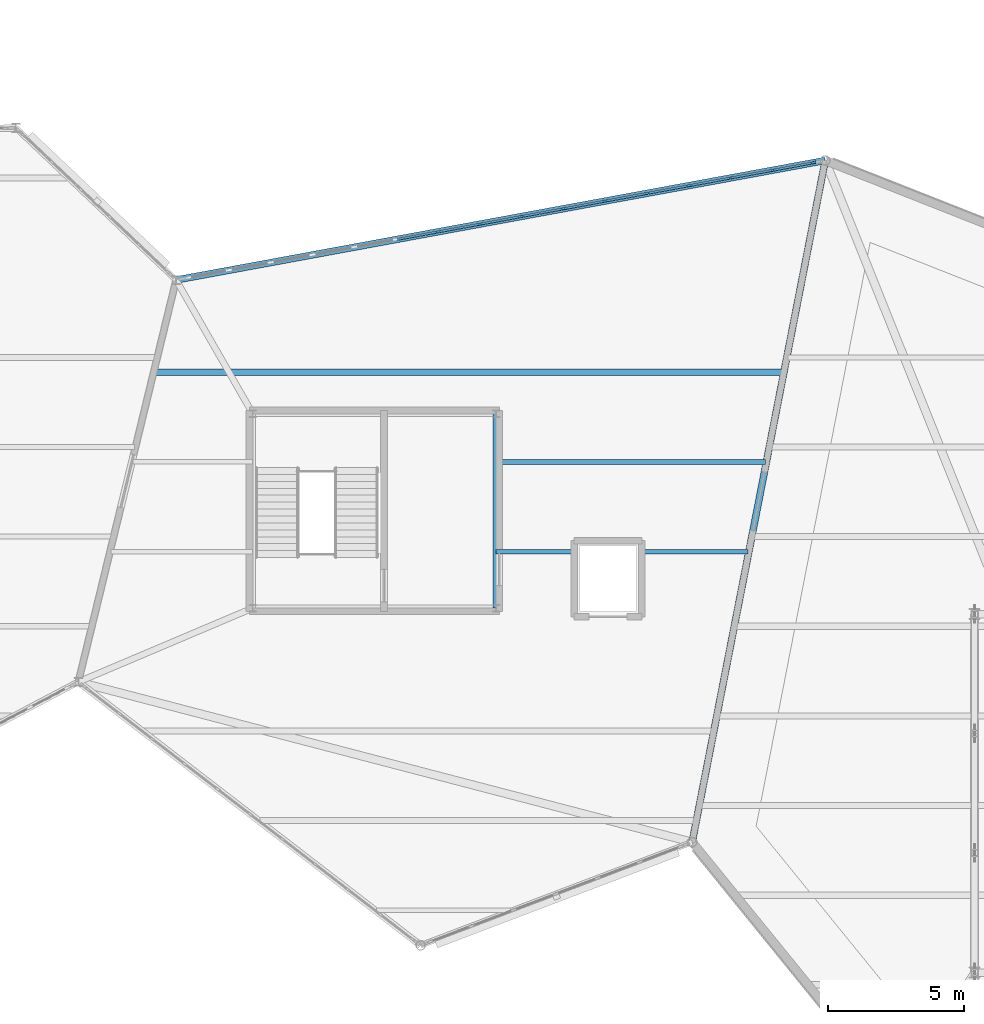
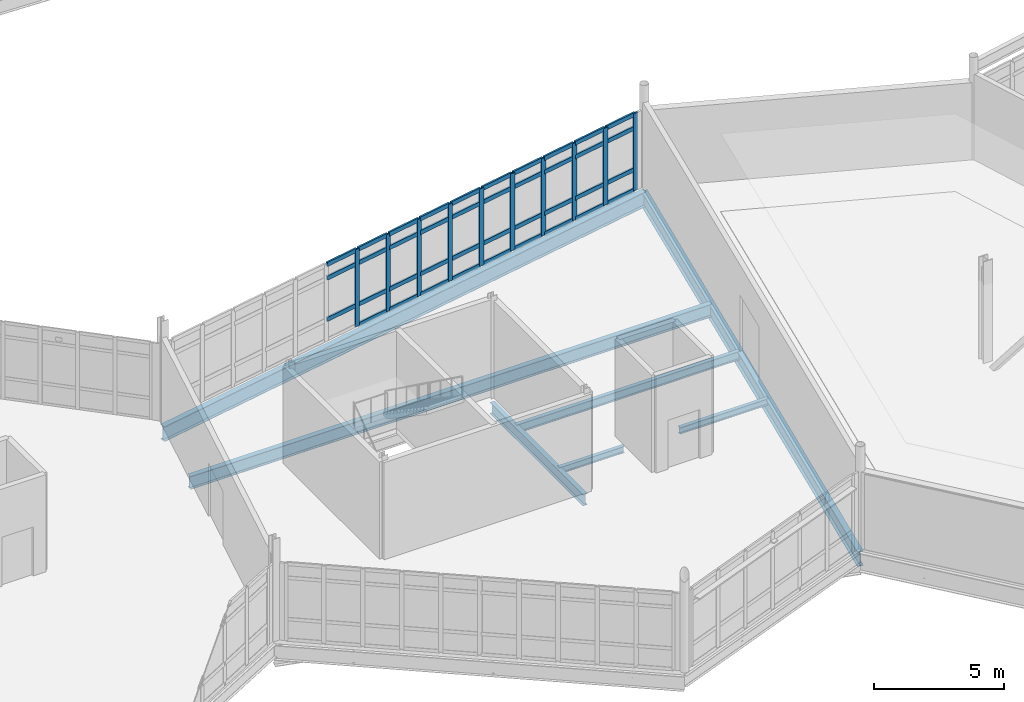
# One storey, part 40 of 114: 49 members, 7 beams, 1 element without a shape of its own.
"""IFC4 building model written with IfcOpenShell, lengths in metres."""

from ifc_helpers import new_model, si_unit, direction, frame, origin, origin_2d, place, context, subcontext, project, spatial, rectangle, i_section, extrude, material, material_profile, profile_set, type_object, element, aggregate, save


model = new_model("IFC4")

# Units and contexts
model_context = context("Model", 3, precision=1e-05, world=origin(), true_north=direction((0.0, 1.0)))
body_context = subcontext(model_context, "Body", "Model", "MODEL_VIEW")
ifc_project = project(units=[si_unit("LENGTHUNIT", "METRE"), si_unit("AREAUNIT", "SQUARE_METRE"), si_unit("VOLUMEUNIT", "CUBIC_METRE"), si_unit("PLANEANGLEUNIT", "RADIAN"), si_unit("MASSUNIT", "GRAM", prefix="KILO")], contexts=[model_context])

# Site, building, storey
site_placement = place(None, origin())
site = spatial("IfcSite", under=ifc_project, at=site_placement, CompositionType="ELEMENT")
building_placement = place(site_placement, origin())
building = spatial("IfcBuilding", under=site, at=building_placement, Name="Tameran Prism Museum", CompositionType="ELEMENT")
storey_placement = place(building_placement, frame((0.0, 0.0, 10.199951171875)))
storey = spatial("IfcBuildingStorey", under=building, at=storey_placement, Name="L02", CompositionType="ELEMENT", Elevation=10.199951171875)

# Beams
ifc_material_1 = material(Name="Steel Grade 300PLUS (300 MPa)", Category="steel")
ifc_material_profile_1 = material_profile(ifc_material_1, i_section(OverallWidth=0.166015625, OverallDepth=0.306884765625, WebThickness=0.006591796875, FlangeThickness=0.01171875, FilletRadius=0.011474609375, at=origin_2d()))
ifc_profile_set_1 = profile_set([ifc_material_profile_1])
beam_type_1 = type_object("IfcBeamType", Name="BM-J310A", PredefinedType="JOIST", material=ifc_profile_set_1)
beam_1_placement = place(storey_placement, frame((113.47998046875, 33.0, -0.37353515625), z_axis=(1.0, 0.0, 0.0), x_axis=(0.0, 1.0, 0.0)))
element("IfcBeam", 1, at=beam_1_placement, inside=storey, type_object=beam_type_1, Name="Floor Beam BM-0876", PredefinedType="JOIST", context=body_context, shape_type="SweptSolid", body=[
    extrude(i_section(OverallWidth=0.166015625, OverallDepth=0.306884765625, WebThickness=0.006591796875, FlangeThickness=0.01171875, FilletRadius=0.011474609375, at=origin_2d()), origin(), (0.0, 0.0, 1.0), 2.89013671875),
])
beam_2_placement = place(storey_placement, frame((118.830078125, 33.0, -0.37353515625), z_axis=(1.0, 0.0, 0.0), x_axis=(0.0, 1.0, 0.0)))
element("IfcBeam", 2, at=beam_2_placement, inside=storey, type_object=beam_type_1, Name="Floor Beam BM-0877", PredefinedType="JOIST", context=body_context, shape_type="SweptSolid", body=[
    extrude(i_section(OverallWidth=0.166015625, OverallDepth=0.306884765625, WebThickness=0.006591796875, FlangeThickness=0.01171875, FilletRadius=0.011474609375, at=origin_2d()), origin(), (0.0, 0.0, 1.0), 3.91796875),
])
ifc_material_2 = material(Name="Steel Grade 300PLUS (300 MPa)", Category="steel")
ifc_material_profile_2 = material_profile(ifc_material_2, i_section(OverallWidth=0.177978515625, OverallDepth=0.403076171875, WebThickness=0.007568359375, FlangeThickness=0.010986328125, FilletRadius=0.011474609375, at=origin_2d()))
ifc_profile_set_2 = profile_set([ifc_material_profile_2])
beam_type_2 = type_object("IfcBeamType", Name="BM-J410B", PredefinedType="JOIST", material=ifc_profile_set_2)
beam_3_placement = place(storey_placement, frame((113.47998046875, 36.300048828125, -0.42138671875), z_axis=(1.0, 0.0, 0.0), x_axis=(0.0, 1.0, 0.0)))
element("IfcBeam", 3, at=beam_3_placement, inside=storey, type_object=beam_type_2, Name="Floor Beam BM-0879", PredefinedType="JOIST", context=body_context, shape_type="SweptSolid", body=[
    extrude(i_section(OverallWidth=0.177978515625, OverallDepth=0.403076171875, WebThickness=0.007568359375, FlangeThickness=0.010986328125, FilletRadius=0.011474609375, at=origin_2d()), origin(), (0.0, 0.0, 1.0), 9.912109375),
])
ifc_material_3 = material(Name="Steel Grade 300PLUS (300 MPa)", Category="steel")
ifc_material_profile_3 = material_profile(ifc_material_3, i_section(OverallWidth=0.208984375, OverallDepth=0.528076171875, WebThickness=0.009521484375, FlangeThickness=0.01318359375, FilletRadius=0.013916015625, at=origin_2d()))
ifc_profile_set_3 = profile_set([ifc_material_profile_3])
beam_type_3 = type_object("IfcBeamType", Name="BM-SP530B", PredefinedType="SPANDREL", material=ifc_profile_set_3)
beam_4_placement = place(storey_placement, frame((113.47998046875, 30.919921875, -0.50390625), z_axis=(0.0, 1.0, 0.0), x_axis=(-1.0, 0.0, 0.0)))
element("IfcBeam", 4, at=beam_4_placement, inside=storey, type_object=beam_type_3, Name="Core Ring Beam CTB-0778", PredefinedType="SPANDREL", context=body_context, shape_type="SweptSolid", body=[
    extrude(i_section(OverallWidth=0.208984375, OverallDepth=0.528076171875, WebThickness=0.009521484375, FlangeThickness=0.01318359375, FilletRadius=0.013916015625, at=origin_2d()), origin(), (0.0, 0.0, 1.0), 7.16015625),
])
ifc_material_4 = material(Name="Steel Grade 350 (350 MPa)", Category="steel")
ifc_material_profile_4 = material_profile(ifc_material_4, i_section(OverallWidth=0.25, OverallDepth=0.699951171875, WebThickness=0.010009765625, FlangeThickness=0.02001953125, at=origin_2d()))
ifc_profile_set_4 = profile_set([ifc_material_profile_4])
beam_type_4 = type_object("IfcBeamType", Name="BM-SP700", PredefinedType="SPANDREL", material=ifc_profile_set_4)
beam_5_placement = place(storey_placement, frame((120.699951171875, 22.300048828125, -0.570068359375), z_axis=(0.191608827438, 0.981471373626, 0.0), x_axis=(-0.981471373626, 0.191608827438, 0.0)))
element("IfcBeam", 5, at=beam_5_placement, inside=storey, type_object=beam_type_4, Name="Perimeter Spandrel SP-0696", PredefinedType="SPANDREL", context=body_context, shape_type="SweptSolid", body=[
    extrude(i_section(OverallWidth=0.25, OverallDepth=0.699951171875, WebThickness=0.010009765625, FlangeThickness=0.02001953125, at=origin_2d()), origin(), (0.0, 0.0, 1.0), 25.57373046875),
])
beam_6_placement = place(storey_placement, frame((125.60009765625, 47.39990234375, -0.570068359375), z_axis=(-0.983473389275, -0.181052734272, 0.0), x_axis=(0.181052734272, -0.983473389275, 0.0)))
element("IfcBeam", 6, at=beam_6_placement, inside=storey, type_object=beam_type_4, Name="Perimeter Spandrel SP-0697", PredefinedType="SPANDREL", context=body_context, shape_type="SweptSolid", body=[
    extrude(i_section(OverallWidth=0.25, OverallDepth=0.699951171875, WebThickness=0.010009765625, FlangeThickness=0.02001953125, at=origin_2d()), origin(), (0.0, 0.0, 1.0), 24.3017578125),
])
ifc_material_5 = material(Name="Steel Grade 300PLUS (300 MPa)", Category="steel")
ifc_material_profile_5 = material_profile(ifc_material_5, i_section(OverallWidth=0.22802734375, OverallDepth=0.60693359375, WebThickness=0.01123046875, FlangeThickness=0.017333984375, FilletRadius=0.013916015625, at=origin_2d()))
ifc_profile_set_5 = profile_set([ifc_material_profile_5])
beam_type_5 = type_object("IfcBeamType", Name="BM-UB610B", PredefinedType="BEAM", material=ifc_profile_set_5)
beam_7_placement = place(storey_placement, frame((100.9140625, 39.60009765625, -0.5234375), z_axis=(1.0, 0.0, 0.0), x_axis=(0.0, 1.0, 0.0)))
element("IfcBeam", 7, at=beam_7_placement, inside=storey, type_object=beam_type_5, Name="Floor Beam BM-0880", PredefinedType="BEAM", context=body_context, shape_type="SweptSolid", body=[
    extrude(i_section(OverallWidth=0.22802734375, OverallDepth=0.60693359375, WebThickness=0.01123046875, FlangeThickness=0.017333984375, FilletRadius=0.013916015625, at=origin_2d()), origin(), (0.0, 0.0, 1.0), 23.123046875),
])

# Curtain wall, members
ifc_material_6 = material(Name="Anodised Aluminium 6063-T6 and Cyclone Solar Glass", Category="aluminium")
curtain_wall_type = type_object("IfcCurtainWallType", Name="CW-FAC-2348x362", PredefinedType="USERDEFINED", material=ifc_material_6)
curtain_wall_placement = place(storey_placement, origin())
curtain_wall = element("IfcCurtainWall", 8, at=curtain_wall_placement, inside=storey, type_object=curtain_wall_type, Name="Unitised Curtain Wall CW-118", ObjectType="UNITISED CURTAIN WALL", PredefinedType="USERDEFINED")
ifc_material_7 = material(Name="Anodised Aluminium Alloy 6063-T6", Category="aluminium")
ifc_material_profile_6 = material_profile(ifc_material_7, rectangle(XDim=0.080078125, YDim=0.219970703125, at=origin_2d()))
ifc_profile_set_6 = profile_set([ifc_material_profile_6])
member_type_1 = type_object("IfcMemberType", Name="CW-MUL-D", PredefinedType="MULLION", material=ifc_profile_set_6)
member_1_placement = place(storey_placement, frame((111.339111328125, 44.7744140625, 0.0), z_axis=(0.0, 0.0, 1.0), x_axis=(-0.181062693106, 0.98347155585, 0.0)))
member_1 = element("IfcMember", 9, at=member_1_placement, type_object=member_type_1, Name="CW-118 mullion 7", PredefinedType="MULLION", context=body_context, shape_type="SweptSolid", body=[
    extrude(rectangle(XDim=0.080078125, YDim=0.219970703125, at=origin_2d()), origin(), (0.0, 0.0, 1.0), 3.6201171875),
])
member_2_placement = place(storey_placement, frame((112.87841796875, 45.057861328125, 0.0), z_axis=(0.0, 0.0, 1.0), x_axis=(-0.181062693106, 0.98347155585, 0.0)))
member_2 = element("IfcMember", 10, at=member_2_placement, type_object=member_type_1, Name="CW-118 mullion 8", PredefinedType="MULLION", context=body_context, shape_type="SweptSolid", body=[
    extrude(rectangle(XDim=0.080078125, YDim=0.219970703125, at=origin_2d()), origin(), (0.0, 0.0, 1.0), 3.6201171875),
])
member_3_placement = place(storey_placement, frame((114.417724609375, 45.34130859375, 0.0), z_axis=(0.0, 0.0, 1.0), x_axis=(-0.181062693106, 0.98347155585, 0.0)))
member_3 = element("IfcMember", 11, at=member_3_placement, type_object=member_type_1, Name="CW-118 mullion 9", PredefinedType="MULLION", context=body_context, shape_type="SweptSolid", body=[
    extrude(rectangle(XDim=0.080078125, YDim=0.219970703125, at=origin_2d()), origin(), (0.0, 0.0, 1.0), 3.6201171875),
])
member_4_placement = place(storey_placement, frame((115.95703125, 45.62451171875, 0.0), z_axis=(0.0, 0.0, 1.0), x_axis=(-0.181062693106, 0.98347155585, 0.0)))
member_4 = element("IfcMember", 12, at=member_4_placement, type_object=member_type_1, Name="CW-118 mullion 10", PredefinedType="MULLION", context=body_context, shape_type="SweptSolid", body=[
    extrude(rectangle(XDim=0.080078125, YDim=0.219970703125, at=origin_2d()), origin(), (0.0, 0.0, 1.0), 3.6201171875),
])
member_5_placement = place(storey_placement, frame((117.496337890625, 45.907958984375, 0.0), z_axis=(0.0, 0.0, 1.0), x_axis=(-0.181062693106, 0.98347155585, 0.0)))
member_5 = element("IfcMember", 13, at=member_5_placement, type_object=member_type_1, Name="CW-118 mullion 11", PredefinedType="MULLION", context=body_context, shape_type="SweptSolid", body=[
    extrude(rectangle(XDim=0.080078125, YDim=0.219970703125, at=origin_2d()), origin(), (0.0, 0.0, 1.0), 3.6201171875),
])
member_6_placement = place(storey_placement, frame((119.03564453125, 46.19140625, 0.0), z_axis=(0.0, 0.0, 1.0), x_axis=(-0.181062693106, 0.98347155585, 0.0)))
member_6 = element("IfcMember", 14, at=member_6_placement, type_object=member_type_1, Name="CW-118 mullion 12", PredefinedType="MULLION", context=body_context, shape_type="SweptSolid", body=[
    extrude(rectangle(XDim=0.080078125, YDim=0.219970703125, at=origin_2d()), origin(), (0.0, 0.0, 1.0), 3.6201171875),
])
member_7_placement = place(storey_placement, frame((120.574951171875, 46.474853515625, 0.0), z_axis=(0.0, 0.0, 1.0), x_axis=(-0.181062693106, 0.98347155585, 0.0)))
member_7 = element("IfcMember", 15, at=member_7_placement, type_object=member_type_1, Name="CW-118 mullion 13", PredefinedType="MULLION", context=body_context, shape_type="SweptSolid", body=[
    extrude(rectangle(XDim=0.080078125, YDim=0.219970703125, at=origin_2d()), origin(), (0.0, 0.0, 1.0), 3.6201171875),
])
member_8_placement = place(storey_placement, frame((122.1142578125, 46.75830078125, 0.0), z_axis=(0.0, 0.0, 1.0), x_axis=(-0.181062693106, 0.98347155585, 0.0)))
member_8 = element("IfcMember", 16, at=member_8_placement, type_object=member_type_1, Name="CW-118 mullion 14", PredefinedType="MULLION", context=body_context, shape_type="SweptSolid", body=[
    extrude(rectangle(XDim=0.080078125, YDim=0.219970703125, at=origin_2d()), origin(), (0.0, 0.0, 1.0), 3.6201171875),
])
member_9_placement = place(storey_placement, frame((123.653564453125, 47.04150390625, 0.0), z_axis=(0.0, 0.0, 1.0), x_axis=(-0.181062693106, 0.98347155585, 0.0)))
member_9 = element("IfcMember", 17, at=member_9_placement, type_object=member_type_1, Name="CW-118 mullion 15", PredefinedType="MULLION", context=body_context, shape_type="SweptSolid", body=[
    extrude(rectangle(XDim=0.080078125, YDim=0.219970703125, at=origin_2d()), origin(), (0.0, 0.0, 1.0), 3.6201171875),
])
member_10_placement = place(storey_placement, frame((125.153564453125, 47.31787109375, 0.0), z_axis=(0.0, 0.0, 1.0), x_axis=(-0.181062693106, 0.98347155585, 0.0)))
member_10 = element("IfcMember", 18, at=member_10_placement, type_object=member_type_1, Name="CW-118 mullion 16", PredefinedType="MULLION", context=body_context, shape_type="SweptSolid", body=[
    extrude(rectangle(XDim=0.080078125, YDim=0.219970703125, at=origin_2d()), origin(), (0.0, 0.0, 1.0), 3.6201171875),
])
ifc_material_8 = material(Name="Anodised Aluminium Alloy 6063-T6", Category="aluminium")
ifc_material_profile_7 = material_profile(ifc_material_8, rectangle(XDim=0.080078125, YDim=0.195068359375, at=origin_2d()))
ifc_profile_set_7 = profile_set([ifc_material_profile_7])
member_type_2 = type_object("IfcMemberType", Name="CW-TRN-D", PredefinedType="USERDEFINED", material=ifc_profile_set_7)
member_11_placement = place(storey_placement, frame((109.839111328125, 44.498291015625, 1.0), z_axis=(0.983480926878, 0.181011785438, 0.0), x_axis=(-0.181011785438, 0.983480926878, 0.0)))
member_11 = element("IfcMember", 19, at=member_11_placement, type_object=member_type_2, Name="CW-118 transom 6.2", ObjectType="TRANSOM", PredefinedType="USERDEFINED", context=body_context, shape_type="SweptSolid", body=[
    extrude(rectangle(XDim=0.080078125, YDim=0.195068359375, at=origin_2d()), origin(), (0.0, 0.0, 1.0), 1.48486328125),
])
member_12_placement = place(storey_placement, frame((109.839111328125, 44.498291015625, 2.93994140625), z_axis=(0.983480926878, 0.181011785438, 0.0), x_axis=(-0.181011785438, 0.983480926878, 0.0)))
member_12 = element("IfcMember", 20, at=member_12_placement, type_object=member_type_2, Name="CW-118 transom 6.3", ObjectType="TRANSOM", PredefinedType="USERDEFINED", context=body_context, shape_type="SweptSolid", body=[
    extrude(rectangle(XDim=0.080078125, YDim=0.195068359375, at=origin_2d()), origin(), (0.0, 0.0, 1.0), 1.48486328125),
])
member_13_placement = place(storey_placement, frame((109.839111328125, 44.498291015625, 3.580078125), z_axis=(0.983480926878, 0.181011785438, 0.0), x_axis=(-0.181011785438, 0.983480926878, 0.0)))
member_13 = element("IfcMember", 21, at=member_13_placement, type_object=member_type_2, Name="CW-118 transom 6.4", ObjectType="TRANSOM", PredefinedType="USERDEFINED", context=body_context, shape_type="SweptSolid", body=[
    extrude(rectangle(XDim=0.080078125, YDim=0.195068359375, at=origin_2d()), origin(), (0.0, 0.0, 1.0), 1.48486328125),
])
member_14_placement = place(storey_placement, frame((111.37841796875, 44.78173828125, 0.0400390625), z_axis=(0.983486312401, 0.180982522138, 0.0), x_axis=(-0.180982522138, 0.983486312401, 0.0)))
member_14 = element("IfcMember", 22, at=member_14_placement, type_object=member_type_2, Name="CW-118 transom 7.1", ObjectType="TRANSOM", PredefinedType="USERDEFINED", context=body_context, shape_type="SweptSolid", body=[
    extrude(rectangle(XDim=0.080078125, YDim=0.195068359375, at=origin_2d()), origin(), (0.0, 0.0, 1.0), 1.485107421875),
])
member_15_placement = place(storey_placement, frame((111.37841796875, 44.78173828125, 1.0), z_axis=(0.983486312401, 0.180982522138, 0.0), x_axis=(-0.180982522138, 0.983486312401, 0.0)))
member_15 = element("IfcMember", 23, at=member_15_placement, type_object=member_type_2, Name="CW-118 transom 7.2", ObjectType="TRANSOM", PredefinedType="USERDEFINED", context=body_context, shape_type="SweptSolid", body=[
    extrude(rectangle(XDim=0.080078125, YDim=0.195068359375, at=origin_2d()), origin(), (0.0, 0.0, 1.0), 1.485107421875),
])
member_16_placement = place(storey_placement, frame((111.37841796875, 44.78173828125, 2.93994140625), z_axis=(0.983486312401, 0.180982522138, 0.0), x_axis=(-0.180982522138, 0.983486312401, 0.0)))
member_16 = element("IfcMember", 24, at=member_16_placement, type_object=member_type_2, Name="CW-118 transom 7.3", ObjectType="TRANSOM", PredefinedType="USERDEFINED", context=body_context, shape_type="SweptSolid", body=[
    extrude(rectangle(XDim=0.080078125, YDim=0.195068359375, at=origin_2d()), origin(), (0.0, 0.0, 1.0), 1.485107421875),
])
member_17_placement = place(storey_placement, frame((111.37841796875, 44.78173828125, 3.580078125), z_axis=(0.983486312401, 0.180982522138, 0.0), x_axis=(-0.180982522138, 0.983486312401, 0.0)))
member_17 = element("IfcMember", 25, at=member_17_placement, type_object=member_type_2, Name="CW-118 transom 7.4", ObjectType="TRANSOM", PredefinedType="USERDEFINED", context=body_context, shape_type="SweptSolid", body=[
    extrude(rectangle(XDim=0.080078125, YDim=0.195068359375, at=origin_2d()), origin(), (0.0, 0.0, 1.0), 1.485107421875),
])
member_18_placement = place(storey_placement, frame((112.917724609375, 45.06494140625, 0.0400390625), z_axis=(0.983457041771, 0.181141510953, 0.0), x_axis=(-0.181141510953, 0.983457041771, 0.0)))
member_18 = element("IfcMember", 26, at=member_18_placement, type_object=member_type_2, Name="CW-118 transom 8.1", ObjectType="TRANSOM", PredefinedType="USERDEFINED", context=body_context, shape_type="SweptSolid", body=[
    extrude(rectangle(XDim=0.080078125, YDim=0.195068359375, at=origin_2d()), origin(), (0.0, 0.0, 1.0), 1.4853515625),
])
member_19_placement = place(storey_placement, frame((112.917724609375, 45.06494140625, 1.0), z_axis=(0.983457041771, 0.181141510953, 0.0), x_axis=(-0.181141510953, 0.983457041771, 0.0)))
member_19 = element("IfcMember", 27, at=member_19_placement, type_object=member_type_2, Name="CW-118 transom 8.2", ObjectType="TRANSOM", PredefinedType="USERDEFINED", context=body_context, shape_type="SweptSolid", body=[
    extrude(rectangle(XDim=0.080078125, YDim=0.195068359375, at=origin_2d()), origin(), (0.0, 0.0, 1.0), 1.4853515625),
])
member_20_placement = place(storey_placement, frame((112.917724609375, 45.06494140625, 2.93994140625), z_axis=(0.983457041771, 0.181141510953, 0.0), x_axis=(-0.181141510953, 0.983457041771, 0.0)))
member_20 = element("IfcMember", 28, at=member_20_placement, type_object=member_type_2, Name="CW-118 transom 8.3", ObjectType="TRANSOM", PredefinedType="USERDEFINED", context=body_context, shape_type="SweptSolid", body=[
    extrude(rectangle(XDim=0.080078125, YDim=0.195068359375, at=origin_2d()), origin(), (0.0, 0.0, 1.0), 1.4853515625),
])
member_21_placement = place(storey_placement, frame((112.917724609375, 45.06494140625, 3.580078125), z_axis=(0.983457041771, 0.181141510953, 0.0), x_axis=(-0.181141510953, 0.983457041771, 0.0)))
member_21 = element("IfcMember", 29, at=member_21_placement, type_object=member_type_2, Name="CW-118 transom 8.4", ObjectType="TRANSOM", PredefinedType="USERDEFINED", context=body_context, shape_type="SweptSolid", body=[
    extrude(rectangle(XDim=0.080078125, YDim=0.195068359375, at=origin_2d()), origin(), (0.0, 0.0, 1.0), 1.4853515625),
])
member_22_placement = place(storey_placement, frame((114.45703125, 45.348388671875, 0.0400390625), z_axis=(0.983457041771, 0.181141510953, 0.0), x_axis=(-0.181141510953, 0.983457041771, 0.0)))
member_22 = element("IfcMember", 30, at=member_22_placement, type_object=member_type_2, Name="CW-118 transom 9.1", ObjectType="TRANSOM", PredefinedType="USERDEFINED", context=body_context, shape_type="SweptSolid", body=[
    extrude(rectangle(XDim=0.080078125, YDim=0.195068359375, at=origin_2d()), origin(), (0.0, 0.0, 1.0), 1.4853515625),
])
member_23_placement = place(storey_placement, frame((114.45703125, 45.348388671875, 1.0), z_axis=(0.983457041771, 0.181141510953, 0.0), x_axis=(-0.181141510953, 0.983457041771, 0.0)))
member_23 = element("IfcMember", 31, at=member_23_placement, type_object=member_type_2, Name="CW-118 transom 9.2", ObjectType="TRANSOM", PredefinedType="USERDEFINED", context=body_context, shape_type="SweptSolid", body=[
    extrude(rectangle(XDim=0.080078125, YDim=0.195068359375, at=origin_2d()), origin(), (0.0, 0.0, 1.0), 1.4853515625),
])
member_24_placement = place(storey_placement, frame((114.45703125, 45.348388671875, 2.93994140625), z_axis=(0.983457041771, 0.181141510953, 0.0), x_axis=(-0.181141510953, 0.983457041771, 0.0)))
member_24 = element("IfcMember", 32, at=member_24_placement, type_object=member_type_2, Name="CW-118 transom 9.3", ObjectType="TRANSOM", PredefinedType="USERDEFINED", context=body_context, shape_type="SweptSolid", body=[
    extrude(rectangle(XDim=0.080078125, YDim=0.195068359375, at=origin_2d()), origin(), (0.0, 0.0, 1.0), 1.4853515625),
])
member_25_placement = place(storey_placement, frame((114.45703125, 45.348388671875, 3.580078125), z_axis=(0.983457041771, 0.181141510953, 0.0), x_axis=(-0.181141510953, 0.983457041771, 0.0)))
member_25 = element("IfcMember", 33, at=member_25_placement, type_object=member_type_2, Name="CW-118 transom 9.4", ObjectType="TRANSOM", PredefinedType="USERDEFINED", context=body_context, shape_type="SweptSolid", body=[
    extrude(rectangle(XDim=0.080078125, YDim=0.195068359375, at=origin_2d()), origin(), (0.0, 0.0, 1.0), 1.4853515625),
])
member_26_placement = place(storey_placement, frame((115.996337890625, 45.6318359375, 0.0400390625), z_axis=(0.983457041771, 0.181141510953, 0.0), x_axis=(-0.181141510953, 0.983457041771, 0.0)))
member_26 = element("IfcMember", 34, at=member_26_placement, type_object=member_type_2, Name="CW-118 transom 10.1", ObjectType="TRANSOM", PredefinedType="USERDEFINED", context=body_context, shape_type="SweptSolid", body=[
    extrude(rectangle(XDim=0.080078125, YDim=0.195068359375, at=origin_2d()), origin(), (0.0, 0.0, 1.0), 1.4853515625),
])
member_27_placement = place(storey_placement, frame((115.996337890625, 45.6318359375, 1.0), z_axis=(0.983457041771, 0.181141510953, 0.0), x_axis=(-0.181141510953, 0.983457041771, 0.0)))
member_27 = element("IfcMember", 35, at=member_27_placement, type_object=member_type_2, Name="CW-118 transom 10.2", ObjectType="TRANSOM", PredefinedType="USERDEFINED", context=body_context, shape_type="SweptSolid", body=[
    extrude(rectangle(XDim=0.080078125, YDim=0.195068359375, at=origin_2d()), origin(), (0.0, 0.0, 1.0), 1.4853515625),
])
member_28_placement = place(storey_placement, frame((115.996337890625, 45.6318359375, 2.93994140625), z_axis=(0.983457041771, 0.181141510953, 0.0), x_axis=(-0.181141510953, 0.983457041771, 0.0)))
member_28 = element("IfcMember", 36, at=member_28_placement, type_object=member_type_2, Name="CW-118 transom 10.3", ObjectType="TRANSOM", PredefinedType="USERDEFINED", context=body_context, shape_type="SweptSolid", body=[
    extrude(rectangle(XDim=0.080078125, YDim=0.195068359375, at=origin_2d()), origin(), (0.0, 0.0, 1.0), 1.4853515625),
])
member_29_placement = place(storey_placement, frame((115.996337890625, 45.6318359375, 3.580078125), z_axis=(0.983457041771, 0.181141510953, 0.0), x_axis=(-0.181141510953, 0.983457041771, 0.0)))
member_29 = element("IfcMember", 37, at=member_29_placement, type_object=member_type_2, Name="CW-118 transom 10.4", ObjectType="TRANSOM", PredefinedType="USERDEFINED", context=body_context, shape_type="SweptSolid", body=[
    extrude(rectangle(XDim=0.080078125, YDim=0.195068359375, at=origin_2d()), origin(), (0.0, 0.0, 1.0), 1.4853515625),
])
member_30_placement = place(storey_placement, frame((117.53564453125, 45.915283203125, 0.0400390625), z_axis=(0.983486312401, 0.180982522138, 0.0), x_axis=(-0.180982522138, 0.983486312401, 0.0)))
member_30 = element("IfcMember", 38, at=member_30_placement, type_object=member_type_2, Name="CW-118 transom 11.1", ObjectType="TRANSOM", PredefinedType="USERDEFINED", context=body_context, shape_type="SweptSolid", body=[
    extrude(rectangle(XDim=0.080078125, YDim=0.195068359375, at=origin_2d()), origin(), (0.0, 0.0, 1.0), 1.485107421875),
])
member_31_placement = place(storey_placement, frame((117.53564453125, 45.915283203125, 1.0), z_axis=(0.983486312401, 0.180982522138, 0.0), x_axis=(-0.180982522138, 0.983486312401, 0.0)))
member_31 = element("IfcMember", 39, at=member_31_placement, type_object=member_type_2, Name="CW-118 transom 11.2", ObjectType="TRANSOM", PredefinedType="USERDEFINED", context=body_context, shape_type="SweptSolid", body=[
    extrude(rectangle(XDim=0.080078125, YDim=0.195068359375, at=origin_2d()), origin(), (0.0, 0.0, 1.0), 1.485107421875),
])
member_32_placement = place(storey_placement, frame((117.53564453125, 45.915283203125, 2.93994140625), z_axis=(0.983486312401, 0.180982522138, 0.0), x_axis=(-0.180982522138, 0.983486312401, 0.0)))
member_32 = element("IfcMember", 40, at=member_32_placement, type_object=member_type_2, Name="CW-118 transom 11.3", ObjectType="TRANSOM", PredefinedType="USERDEFINED", context=body_context, shape_type="SweptSolid", body=[
    extrude(rectangle(XDim=0.080078125, YDim=0.195068359375, at=origin_2d()), origin(), (0.0, 0.0, 1.0), 1.485107421875),
])
member_33_placement = place(storey_placement, frame((117.53564453125, 45.915283203125, 3.580078125), z_axis=(0.983486312401, 0.180982522138, 0.0), x_axis=(-0.180982522138, 0.983486312401, 0.0)))
member_33 = element("IfcMember", 41, at=member_33_placement, type_object=member_type_2, Name="CW-118 transom 11.4", ObjectType="TRANSOM", PredefinedType="USERDEFINED", context=body_context, shape_type="SweptSolid", body=[
    extrude(rectangle(XDim=0.080078125, YDim=0.195068359375, at=origin_2d()), origin(), (0.0, 0.0, 1.0), 1.485107421875),
])
member_34_placement = place(storey_placement, frame((119.074951171875, 46.19873046875, 0.0400390625), z_axis=(0.983486312401, 0.180982522138, 0.0), x_axis=(-0.180982522138, 0.983486312401, 0.0)))
member_34 = element("IfcMember", 42, at=member_34_placement, type_object=member_type_2, Name="CW-118 transom 12.1", ObjectType="TRANSOM", PredefinedType="USERDEFINED", context=body_context, shape_type="SweptSolid", body=[
    extrude(rectangle(XDim=0.080078125, YDim=0.195068359375, at=origin_2d()), origin(), (0.0, 0.0, 1.0), 1.485107421875),
])
member_35_placement = place(storey_placement, frame((119.074951171875, 46.19873046875, 1.0), z_axis=(0.983486312401, 0.180982522138, 0.0), x_axis=(-0.180982522138, 0.983486312401, 0.0)))
member_35 = element("IfcMember", 43, at=member_35_placement, type_object=member_type_2, Name="CW-118 transom 12.2", ObjectType="TRANSOM", PredefinedType="USERDEFINED", context=body_context, shape_type="SweptSolid", body=[
    extrude(rectangle(XDim=0.080078125, YDim=0.195068359375, at=origin_2d()), origin(), (0.0, 0.0, 1.0), 1.485107421875),
])
member_36_placement = place(storey_placement, frame((119.074951171875, 46.19873046875, 2.93994140625), z_axis=(0.983486312401, 0.180982522138, 0.0), x_axis=(-0.180982522138, 0.983486312401, 0.0)))
member_36 = element("IfcMember", 44, at=member_36_placement, type_object=member_type_2, Name="CW-118 transom 12.3", ObjectType="TRANSOM", PredefinedType="USERDEFINED", context=body_context, shape_type="SweptSolid", body=[
    extrude(rectangle(XDim=0.080078125, YDim=0.195068359375, at=origin_2d()), origin(), (0.0, 0.0, 1.0), 1.485107421875),
])
member_37_placement = place(storey_placement, frame((119.074951171875, 46.19873046875, 3.580078125), z_axis=(0.983486312401, 0.180982522138, 0.0), x_axis=(-0.180982522138, 0.983486312401, 0.0)))
member_37 = element("IfcMember", 45, at=member_37_placement, type_object=member_type_2, Name="CW-118 transom 12.4", ObjectType="TRANSOM", PredefinedType="USERDEFINED", context=body_context, shape_type="SweptSolid", body=[
    extrude(rectangle(XDim=0.080078125, YDim=0.195068359375, at=origin_2d()), origin(), (0.0, 0.0, 1.0), 1.485107421875),
])
member_38_placement = place(storey_placement, frame((120.6142578125, 46.48193359375, 0.0400390625), z_axis=(0.983457041771, 0.181141510953, 0.0), x_axis=(-0.181141510953, 0.983457041771, 0.0)))
member_38 = element("IfcMember", 46, at=member_38_placement, type_object=member_type_2, Name="CW-118 transom 13.1", ObjectType="TRANSOM", PredefinedType="USERDEFINED", context=body_context, shape_type="SweptSolid", body=[
    extrude(rectangle(XDim=0.080078125, YDim=0.195068359375, at=origin_2d()), origin(), (0.0, 0.0, 1.0), 1.4853515625),
])
member_39_placement = place(storey_placement, frame((120.6142578125, 46.48193359375, 1.0), z_axis=(0.983457041771, 0.181141510953, 0.0), x_axis=(-0.181141510953, 0.983457041771, 0.0)))
member_39 = element("IfcMember", 47, at=member_39_placement, type_object=member_type_2, Name="CW-118 transom 13.2", ObjectType="TRANSOM", PredefinedType="USERDEFINED", context=body_context, shape_type="SweptSolid", body=[
    extrude(rectangle(XDim=0.080078125, YDim=0.195068359375, at=origin_2d()), origin(), (0.0, 0.0, 1.0), 1.4853515625),
])
member_40_placement = place(storey_placement, frame((120.6142578125, 46.48193359375, 2.93994140625), z_axis=(0.983457041771, 0.181141510953, 0.0), x_axis=(-0.181141510953, 0.983457041771, 0.0)))
member_40 = element("IfcMember", 48, at=member_40_placement, type_object=member_type_2, Name="CW-118 transom 13.3", ObjectType="TRANSOM", PredefinedType="USERDEFINED", context=body_context, shape_type="SweptSolid", body=[
    extrude(rectangle(XDim=0.080078125, YDim=0.195068359375, at=origin_2d()), origin(), (0.0, 0.0, 1.0), 1.4853515625),
])
member_41_placement = place(storey_placement, frame((120.6142578125, 46.48193359375, 3.580078125), z_axis=(0.983457041771, 0.181141510953, 0.0), x_axis=(-0.181141510953, 0.983457041771, 0.0)))
member_41 = element("IfcMember", 49, at=member_41_placement, type_object=member_type_2, Name="CW-118 transom 13.4", ObjectType="TRANSOM", PredefinedType="USERDEFINED", context=body_context, shape_type="SweptSolid", body=[
    extrude(rectangle(XDim=0.080078125, YDim=0.195068359375, at=origin_2d()), origin(), (0.0, 0.0, 1.0), 1.4853515625),
])
member_42_placement = place(storey_placement, frame((122.153564453125, 46.765380859375, 0.0400390625), z_axis=(0.983457041771, 0.181141510953, 0.0), x_axis=(-0.181141510953, 0.983457041771, 0.0)))
member_42 = element("IfcMember", 50, at=member_42_placement, type_object=member_type_2, Name="CW-118 transom 14.1", ObjectType="TRANSOM", PredefinedType="USERDEFINED", context=body_context, shape_type="SweptSolid", body=[
    extrude(rectangle(XDim=0.080078125, YDim=0.195068359375, at=origin_2d()), origin(), (0.0, 0.0, 1.0), 1.4853515625),
])
member_43_placement = place(storey_placement, frame((122.153564453125, 46.765380859375, 1.0), z_axis=(0.983457041771, 0.181141510953, 0.0), x_axis=(-0.181141510953, 0.983457041771, 0.0)))
member_43 = element("IfcMember", 51, at=member_43_placement, type_object=member_type_2, Name="CW-118 transom 14.2", ObjectType="TRANSOM", PredefinedType="USERDEFINED", context=body_context, shape_type="SweptSolid", body=[
    extrude(rectangle(XDim=0.080078125, YDim=0.195068359375, at=origin_2d()), origin(), (0.0, 0.0, 1.0), 1.4853515625),
])
member_44_placement = place(storey_placement, frame((122.153564453125, 46.765380859375, 2.93994140625), z_axis=(0.983457041771, 0.181141510953, 0.0), x_axis=(-0.181141510953, 0.983457041771, 0.0)))
member_44 = element("IfcMember", 52, at=member_44_placement, type_object=member_type_2, Name="CW-118 transom 14.3", ObjectType="TRANSOM", PredefinedType="USERDEFINED", context=body_context, shape_type="SweptSolid", body=[
    extrude(rectangle(XDim=0.080078125, YDim=0.195068359375, at=origin_2d()), origin(), (0.0, 0.0, 1.0), 1.4853515625),
])
member_45_placement = place(storey_placement, frame((122.153564453125, 46.765380859375, 3.580078125), z_axis=(0.983457041771, 0.181141510953, 0.0), x_axis=(-0.181141510953, 0.983457041771, 0.0)))
member_45 = element("IfcMember", 53, at=member_45_placement, type_object=member_type_2, Name="CW-118 transom 14.4", ObjectType="TRANSOM", PredefinedType="USERDEFINED", context=body_context, shape_type="SweptSolid", body=[
    extrude(rectangle(XDim=0.080078125, YDim=0.195068359375, at=origin_2d()), origin(), (0.0, 0.0, 1.0), 1.4853515625),
])
member_46_placement = place(storey_placement, frame((123.693115234375, 47.048828125, 0.0400390625), z_axis=(0.983461900916, 0.181115127604, 0.0), x_axis=(-0.181115127604, 0.983461900916, 0.0)))
member_46 = element("IfcMember", 54, at=member_46_placement, type_object=member_type_2, Name="CW-118 transom 15.1", ObjectType="TRANSOM", PredefinedType="USERDEFINED", context=body_context, shape_type="SweptSolid", body=[
    extrude(rectangle(XDim=0.080078125, YDim=0.195068359375, at=origin_2d()), origin(), (0.0, 0.0, 1.0), 1.445068359375),
])
member_47_placement = place(storey_placement, frame((123.693115234375, 47.048828125, 1.0), z_axis=(0.983461900916, 0.181115127604, 0.0), x_axis=(-0.181115127604, 0.983461900916, 0.0)))
member_47 = element("IfcMember", 55, at=member_47_placement, type_object=member_type_2, Name="CW-118 transom 15.2", ObjectType="TRANSOM", PredefinedType="USERDEFINED", context=body_context, shape_type="SweptSolid", body=[
    extrude(rectangle(XDim=0.080078125, YDim=0.195068359375, at=origin_2d()), origin(), (0.0, 0.0, 1.0), 1.445068359375),
])
member_48_placement = place(storey_placement, frame((123.693115234375, 47.048828125, 2.93994140625), z_axis=(0.983461900916, 0.181115127604, 0.0), x_axis=(-0.181115127604, 0.983461900916, 0.0)))
member_48 = element("IfcMember", 56, at=member_48_placement, type_object=member_type_2, Name="CW-118 transom 15.3", ObjectType="TRANSOM", PredefinedType="USERDEFINED", context=body_context, shape_type="SweptSolid", body=[
    extrude(rectangle(XDim=0.080078125, YDim=0.195068359375, at=origin_2d()), origin(), (0.0, 0.0, 1.0), 1.445068359375),
])
member_49_placement = place(storey_placement, frame((123.693115234375, 47.048828125, 3.580078125), z_axis=(0.983461900916, 0.181115127604, 0.0), x_axis=(-0.181115127604, 0.983461900916, 0.0)))
member_49 = element("IfcMember", 57, at=member_49_placement, type_object=member_type_2, Name="CW-118 transom 15.4", ObjectType="TRANSOM", PredefinedType="USERDEFINED", context=body_context, shape_type="SweptSolid", body=[
    extrude(rectangle(XDim=0.080078125, YDim=0.195068359375, at=origin_2d()), origin(), (0.0, 0.0, 1.0), 1.445068359375),
])
aggregate(curtain_wall, [member_1, member_2, member_3, member_4, member_5, member_6, member_7, member_8, member_9, member_10, member_11, member_12, member_13, member_14, member_15, member_16, member_17, member_18, member_19, member_20, member_21, member_22, member_23, member_24, member_25, member_26, member_27, member_28, member_29, member_30, member_31, member_32, member_33, member_34, member_35, member_36, member_37, member_38, member_39, member_40, member_41, member_42, member_43, member_44, member_45, member_46, member_47, member_48, member_49])

save(model, "model.ifc")
